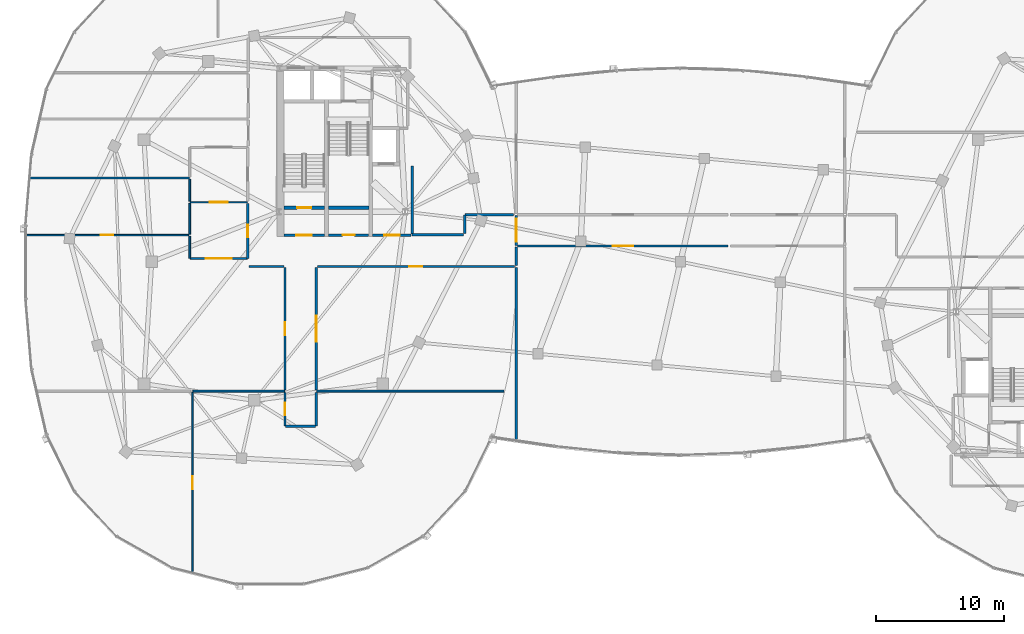
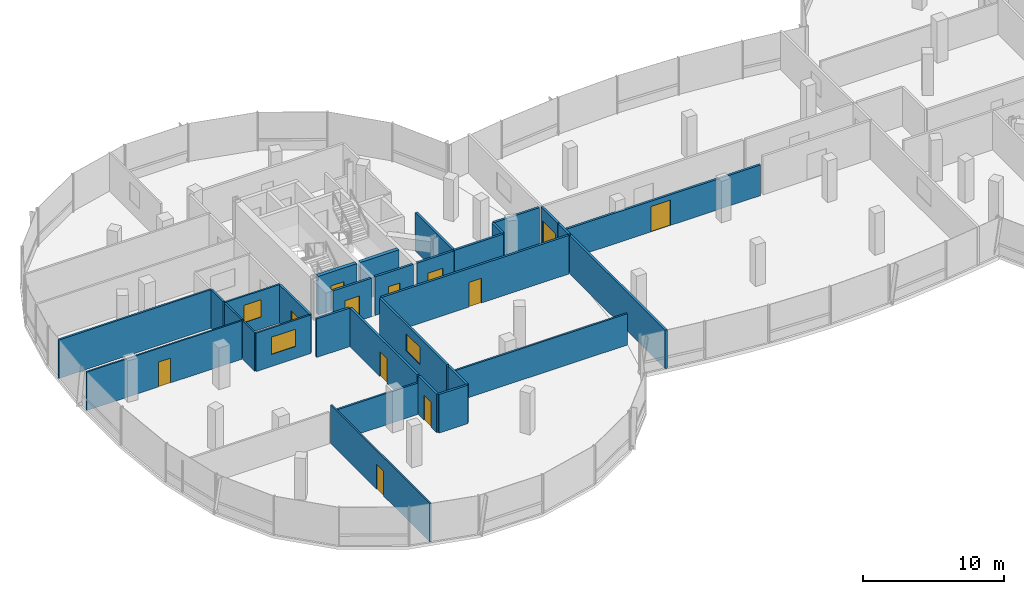
# One storey, part 14 of 25: 31 walls, 12 doors, 3 windows, 15 openings.
"""IFC4 building model written with IfcOpenShell, lengths in metres."""

import ifcopenshell
import ifcopenshell.guid

model = None  # the IFC model being written
_history = None  # IfcOwnerHistory: only IFC2X3 demands one
_inside = {}  # id of a spatial element -> (the spatial element, [elements in it])
_under = {}  # id of a project, library or spatial element -> (it, [spatial elements below it])
_declared = {}  # id of a project -> (the project, [libraries it declares])
_typed = {}  # id of a type object -> (the type object, [elements of that type])
_made_of = {}  # id of a material, layer set ... -> (it, [elements and type objects made of it])


def new_model(schema):
    """Start an empty IFC model of exactly this schema.

    Asked for "IFC4X3", IfcOpenShell would pick the latest addendum, in which some entities
    have other attributes; the version numbers below select the first issue.
    IFC2X3 requires an IfcOwnerHistory on every rooted entity: one is made here for all.
    """
    global model, _history
    if schema == "IFC4X3":
        model = ifcopenshell.file(schema_version=(4, 3, 0, 0))
    else:
        model = ifcopenshell.file(schema=schema)
    _inside.clear()
    _under.clear()
    _declared.clear()
    _typed.clear()
    _made_of.clear()
    _history = None
    if model.schema == "IFC2X3":
        org = make("IfcOrganization", Name="unknown")
        user = make(
            "IfcPersonAndOrganization",
            ThePerson=make("IfcPerson", FamilyName="unknown"),
            TheOrganization=org,
        )
        app = make(
            "IfcApplication",
            ApplicationDeveloper=org,
            Version="unknown",
            ApplicationFullName="unknown",
            ApplicationIdentifier="unknown",
        )
        _history = make(
            "IfcOwnerHistory",
            OwningUser=user,
            OwningApplication=app,
            ChangeAction="ADDED",
            CreationDate=0,
        )
    return model


def make(cls, **values):
    """One entity of the class cls with the attributes given. An attribute that is None is left unset."""
    return model.create_entity(
        cls, **{name: value for name, value in values.items() if value is not None}
    )


def rooted(cls, **values):
    """An entity with a GlobalId (a new one), such as an element, a storey or a relation."""
    return make(cls, GlobalId=ifcopenshell.guid.new(), OwnerHistory=_history, **values)


def si_unit(unit_type, name, prefix=None):
    """IfcSIUnit, for example si_unit("LENGTHUNIT", "METRE", prefix="MILLI")."""
    return make("IfcSIUnit", UnitType=unit_type, Prefix=prefix, Name=name)


def assignment(units):
    """IfcUnitAssignment: the units of a project."""
    return None if units is None else make("IfcUnitAssignment", Units=units)


def point(xyz):
    """IfcCartesianPoint."""
    return None if xyz is None else make("IfcCartesianPoint", Coordinates=xyz)


def direction(xyz):
    """IfcDirection."""
    return None if xyz is None else make("IfcDirection", DirectionRatios=xyz)


def frame(location, z_axis=None, x_axis=None):
    """IfcAxis2Placement3D, a coordinate frame: its origin and axes. An axis left out is left unset."""
    return make(
        "IfcAxis2Placement3D",
        Location=point(location),
        Axis=direction(z_axis),
        RefDirection=direction(x_axis),
    )


def frame_2d(location, x_axis=None):
    """IfcAxis2Placement2D, a coordinate frame in the plane: its origin and x axis."""
    return make(
        "IfcAxis2Placement2D", Location=point(location), RefDirection=direction(x_axis)
    )


def origin():
    """The frame at (0, 0, 0) with its axes left unset."""
    return frame((0.0, 0.0, 0.0))


def place(relative_to, where):
    """IfcLocalPlacement: puts the frame where relative to a parent placement (None: the world)."""
    return make(
        "IfcLocalPlacement", PlacementRelTo=relative_to, RelativePlacement=where
    )


def context(
    kind, dimensions, precision=None, world=None, true_north=None, identifier=None
):
    """IfcGeometricRepresentationContext, for example the 3D "Model" context."""
    return make(
        "IfcGeometricRepresentationContext",
        ContextIdentifier=identifier,
        ContextType=kind,
        CoordinateSpaceDimension=dimensions,
        Precision=precision,
        WorldCoordinateSystem=world,
        TrueNorth=true_north,
    )


def subcontext(parent, identifier, kind, view, scale=None):
    """IfcGeometricRepresentationSubContext, for example "Body" below "Model"."""
    return make(
        "IfcGeometricRepresentationSubContext",
        ContextIdentifier=identifier,
        ContextType=kind,
        ParentContext=parent,
        TargetScale=scale,
        TargetView=view,
    )


def project(units=None, contexts=None):
    """IfcProject with its units and contexts."""
    return rooted(
        "IfcProject",
        Name="project",
        RepresentationContexts=contexts,
        UnitsInContext=assignment(units),
    )


def spatial(cls, under=None, at=None, **own):
    """A site, building, storey or space (cls), placed at a placement, below another one or the project."""
    s = rooted(cls, ObjectPlacement=at, **own)
    if under is not None:
        _under.setdefault(under.id(), (under, []))[1].append(s)
    return s


def profile(cls, at=None, kind="AREA", **sizes):
    """A parametric profile (cls). Its sizes go by their IFC names, for example OverallWidth=200.0."""
    return make(cls, ProfileType=kind, Position=at, **sizes)


def rectangle(**sizes):
    """IfcRectangleProfileDef."""
    return profile("IfcRectangleProfileDef", **sizes)


def extrude(swept, where, along, depth):
    """IfcExtrudedAreaSolid: the profile swept, set in the frame where, extruded along a direction by depth."""
    return make(
        "IfcExtrudedAreaSolid",
        SweptArea=swept,
        Position=where,
        ExtrudedDirection=direction(along),
        Depth=depth,
    )


def shape(context_of_items, identifier, shape_type, items):
    """IfcShapeRepresentation: the items that make up one representation, for example the "Body"."""
    return make(
        "IfcShapeRepresentation",
        ContextOfItems=context_of_items,
        RepresentationIdentifier=identifier,
        RepresentationType=shape_type,
        Items=items,
    )


def material(Name=None, Category=None):
    """IfcMaterial."""
    return make("IfcMaterial", Name=Name, Category=Category)


def layer(
    of_material, thickness, ventilated=None, Name=None, Category=None, Priority=None
):
    """IfcMaterialLayer: one layer of a wall or slab, of a material (None: an air gap)."""
    return make(
        "IfcMaterialLayer",
        Material=of_material,
        LayerThickness=thickness,
        IsVentilated=ventilated,
        Name=Name,
        Category=Category,
        Priority=Priority,
    )


def layer_set(layers, Name=None):
    """IfcMaterialLayerSet."""
    return make("IfcMaterialLayerSet", MaterialLayers=layers, LayerSetName=Name)


def made_of(thing, what):
    """Note that an element or type object is made of a material, layer set ...; save() writes the relation."""
    if what is not None:
        _made_of.setdefault(what.id(), (what, []))[1].append(thing)
    return thing


def type_object(cls, material=None, **own):
    """A type object (cls), such as IfcWallType, which elements share."""
    return made_of(rooted(cls, **own), material)


def element(
    cls,
    number,
    at=None,
    inside=None,
    cuts=None,
    type_object=None,
    material=None,
    context=None,
    identifier="Body",
    shape_type=None,
    held_by="IfcProductDefinitionShape",
    body=None,
    shapes=None,
    **own,
):
    """One element of the class cls, such as IfcWall. Its Tag is "e" and its number.

    at: its placement. inside: the storey or other place that contains it. cuts: it is an
    opening in that element (IfcRelVoidsElement). A single representation is given by context,
    identifier, shape_type and body (its items); several are given by shapes. held_by: the class
    of the entity that holds the representations. save() writes the other relations.
    """
    e = rooted(cls, Tag="e%d" % number, ObjectPlacement=at, **own)
    if body is not None:
        shapes = [shape(context, identifier, shape_type, body)]
    if shapes is not None:
        e.Representation = make(held_by, Representations=shapes)
    if inside is not None:
        _inside.setdefault(inside.id(), (inside, []))[1].append(e)
    if cuts is not None:
        rooted(
            "IfcRelVoidsElement", RelatingBuildingElement=cuts, RelatedOpeningElement=e
        )
    if type_object is not None:
        _typed.setdefault(type_object.id(), (type_object, []))[1].append(e)
    return made_of(e, material)


def fill(opening, filler):
    """IfcRelFillsElement: the door or window that sits in an opening."""
    return rooted(
        "IfcRelFillsElement",
        RelatingOpeningElement=opening,
        RelatedBuildingElement=filler,
    )


def aggregate(whole, parts):
    """IfcRelAggregates: a whole, such as a stair, and the parts it consists of."""
    return rooted("IfcRelAggregates", RelatingObject=whole, RelatedObjects=parts)


def save(model, path):
    """Write the relations noted so far, then the file.

    IfcRelAggregates (storeys below a building ...), IfcRelContainedInSpatialStructure (elements
    in a storey), IfcRelDefinesByType, IfcRelAssociatesMaterial and IfcRelDeclares: one each for
    every whole, place, type object, material and project.
    """
    for whole, parts in _under.values():
        aggregate(whole, parts)
    for where, things in _inside.values():
        rooted(
            "IfcRelContainedInSpatialStructure",
            RelatedElements=things,
            RelatingStructure=where,
        )
    for kind, things in _typed.values():
        rooted("IfcRelDefinesByType", RelatedObjects=things, RelatingType=kind)
    for what, things in _made_of.values():
        rooted("IfcRelAssociatesMaterial", RelatedObjects=things, RelatingMaterial=what)
    for by, libraries in _declared.values():
        rooted("IfcRelDeclares", RelatingContext=by, RelatedDefinitions=libraries)
    model.write(path)


model = new_model("IFC4")

# Units and contexts
model_context = context("Model", 3, precision=1e-05, world=origin(), true_north=direction((0.0, 1.0)))
body_context = subcontext(model_context, "Body", "Model", "MODEL_VIEW")
ifc_project = project(units=[si_unit("LENGTHUNIT", "METRE"), si_unit("AREAUNIT", "SQUARE_METRE"), si_unit("VOLUMEUNIT", "CUBIC_METRE"), si_unit("PLANEANGLEUNIT", "RADIAN"), si_unit("MASSUNIT", "GRAM", prefix="KILO"), si_unit("THERMODYNAMICTEMPERATUREUNIT", "KELVIN"), si_unit("POWERUNIT", "WATT")], contexts=[model_context])

# Site, building, storey
site_placement = place(None, origin())
site = spatial("IfcSite", under=ifc_project, at=site_placement, CompositionType="ELEMENT")
building_placement = place(site_placement, origin())
building = spatial("IfcBuilding", under=site, at=building_placement, Name="Cundina Bronze Exchange", CompositionType="ELEMENT")
storey_placement = place(building_placement, frame((0.0, 0.0, 257.60009765625)))
storey = spatial("IfcBuildingStorey", under=building, at=storey_placement, Name="L68", CompositionType="ELEMENT", Elevation=257.60009765625)

# Wall
ifc_material_1 = material(Name="Gypsum Fireboard Partition EI120")
ifc_layer_1 = layer(ifc_material_1, 0.179931640625, Name="Gypsum Fireboard Partition EI120")
ifc_layer_set_1 = layer_set([ifc_layer_1], Name="Gypsum Fireboard Partition EI120")
wall_type_1 = type_object("IfcWallType", Name="WL-COR-180", PredefinedType="PARTITIONING", material=ifc_layer_set_1)
wall_1_placement = place(storey_placement, frame((-20.889892578125, 2.14990234375, 0.0), z_axis=(0.0, 0.0, 1.0), x_axis=(0.0, 1.0, 0.0)))
element("IfcWall", 1, at=wall_1_placement, inside=storey, type_object=wall_type_1, Name="L68 W Firefighting Lobby Side Wall", PredefinedType="PARTITIONING", context=body_context, shape_type="SweptSolid", body=[
    extrude(rectangle(XDim=5.300048828125, YDim=0.179931640625, at=frame_2d((2.64990234375, 0.0))), origin(), (0.0, 0.0, 1.0), 3.33984375),
])

# Wall, opening, door
wall_2_placement = place(storey_placement, frame((-23.97998046875, 2.06005859375, 0.0), z_axis=(0.0, 0.0, 1.0), x_axis=(1.0, 0.0, 0.0)))
wall_2 = element("IfcWall", 2, at=wall_2_placement, inside=storey, type_object=wall_type_1, Name="L68 W Firefighting Lobby Exit Wall", PredefinedType="PARTITIONING", context=body_context, shape_type="SweptSolid", body=[
    extrude(rectangle(XDim=3.0, YDim=0.179931640625, at=frame_2d((1.5, 0.0))), origin(), (0.0, 0.0, 1.0), 3.33984375),
])
opening_1_placement = place(wall_2_placement, frame((0.89990234375, 0.0, 0.0)))
opening_1 = element("IfcOpeningElement", 3, at=opening_1_placement, cuts=wall_2, Name="Opening DF-01", PredefinedType="OPENING", context=body_context, shape_type="SweptSolid", body=[
    extrude(rectangle(XDim=1.199951171875, YDim=2.14990234375, at=frame_2d((0.60009765625, 1.074951171875))), frame((0.0, 0.099853515625, 0.0), z_axis=(0.0, -1.0, 0.0), x_axis=(1.0, 0.0, 0.0)), (0.0, 0.0, 1.0), 0.199951171875),
])
ifc_material_2 = material(Name="Steel ASTM A36 Painted", Category="steel")
door_type_1 = type_object("IfcDoorType", Name="DR-FFL-1200", OperationType="NOTDEFINED", PredefinedType="DOOR", material=ifc_material_2)
door_1_placement = place(opening_1_placement, origin())
door_1 = element("IfcDoor", 4, at=door_1_placement, inside=storey, type_object=door_type_1, Name="L68 W Firefighting Lobby Door", OperationType="SINGLE_SWING_RIGHT", OverallHeight=2.14990234375, OverallWidth=1.199951171875, PredefinedType="DOOR", context=body_context, shape_type="SweptSolid", body=[
    extrude(rectangle(XDim=1.199951171875, YDim=2.14990234375, at=frame_2d((0.60009765625, 1.074951171875))), frame((0.0, 0.02490234375, 0.0), z_axis=(0.0, -1.0, 0.0), x_axis=(1.0, 0.0, 0.0)), (0.0, 0.0, 1.0), 0.050048828125),
])
fill(opening_1, door_1)

wall_3_placement = place(storey_placement, frame((-30.89990234375, 2.06005859375, 0.0), z_axis=(0.0, 0.0, 1.0), x_axis=(1.0, 0.0, 0.0)))
wall_3 = element("IfcWall", 5, at=wall_3_placement, inside=storey, type_object=wall_type_1, Name="L68 W Stair Vestibule Exit Wall", PredefinedType="PARTITIONING", context=body_context, shape_type="SweptSolid", body=[
    extrude(rectangle(XDim=3.159912109375, YDim=0.179931640625, at=frame_2d((1.580078125, 0.0))), origin(), (0.0, 0.0, 1.0), 3.33984375),
])
opening_2_placement = place(wall_3_placement, frame((0.97998046875, 0.0, 0.0)))
opening_2 = element("IfcOpeningElement", 6, at=opening_2_placement, cuts=wall_3, Name="Opening DF-01", PredefinedType="OPENING", context=body_context, shape_type="SweptSolid", body=[
    extrude(rectangle(XDim=1.199951171875, YDim=2.14990234375, at=frame_2d((0.60009765625, 1.074951171875))), frame((0.0, 0.099853515625, 0.0), z_axis=(0.0, -1.0, 0.0), x_axis=(1.0, 0.0, 0.0)), (0.0, 0.0, 1.0), 0.199951171875),
])
door_2_placement = place(opening_2_placement, origin())
door_2 = element("IfcDoor", 7, at=door_2_placement, inside=storey, type_object=door_type_1, Name="L68 W Stair Vestibule Door", OperationType="SINGLE_SWING_LEFT", OverallHeight=2.14990234375, OverallWidth=1.199951171875, PredefinedType="DOOR", context=body_context, shape_type="SweptSolid", body=[
    extrude(rectangle(XDim=1.199951171875, YDim=2.14990234375, at=frame_2d((0.60009765625, 1.074951171875))), frame((0.0, 0.02490234375, 0.0), z_axis=(0.0, -1.0, 0.0), x_axis=(1.0, 0.0, 0.0)), (0.0, 0.0, 1.0), 0.050048828125),
])
fill(opening_2, door_2)

wall_4_placement = place(storey_placement, frame((-27.419921875, 2.070068359375, 0.0), z_axis=(0.0, 0.0, 1.0), x_axis=(1.0, 0.0, 0.0)))
wall_4 = element("IfcWall", 8, at=wall_4_placement, inside=storey, type_object=wall_type_1, Name="L68 Interior Partition 004", PredefinedType="PARTITIONING", context=body_context, shape_type="SweptSolid", body=[
    extrude(rectangle(XDim=3.119873046875, YDim=0.179931640625, at=frame_2d((1.56005859375, 0.0))), origin(), (0.0, 0.0, 1.0), 3.33984375),
])
opening_3_placement = place(wall_4_placement, frame((1.0849609375, 0.0, 0.0)))
opening_3 = element("IfcOpeningElement", 9, at=opening_3_placement, cuts=wall_4, Name="Opening DW-01", PredefinedType="OPENING", context=body_context, shape_type="SweptSolid", body=[
    extrude(rectangle(XDim=0.949951171875, YDim=2.10009765625, at=frame_2d((0.47509765625, 1.050048828125))), frame((0.0, 0.099853515625, 0.0), z_axis=(0.0, -1.0, 0.0), x_axis=(1.0, 0.0, 0.0)), (0.0, 0.0, 1.0), 0.199951171875),
])
ifc_material_3 = material(Name="Solid Andean Oak Timber Grade A", Category="wood")
door_type_2 = type_object("IfcDoorType", Name="DR-WC-950", OperationType="NOTDEFINED", PredefinedType="DOOR", material=ifc_material_3)
door_3_placement = place(opening_3_placement, origin())
door_3 = element("IfcDoor", 10, at=door_3_placement, inside=storey, type_object=door_type_2, Name="L68 Interior Door 004", OperationType="SINGLE_SWING_RIGHT", OverallHeight=2.10009765625, OverallWidth=0.949951171875, PredefinedType="DOOR", context=body_context, shape_type="SweptSolid", body=[
    extrude(rectangle(XDim=0.949951171875, YDim=2.10009765625, at=frame_2d((0.47509765625, 1.050048828125))), frame((0.0, 0.02490234375, 0.0), z_axis=(0.0, -1.0, 0.0), x_axis=(1.0, 0.0, 0.0)), (0.0, 0.0, 1.0), 0.050048828125),
])
fill(opening_3, door_3)

wall_5_placement = place(storey_placement, frame((-33.719970703125, 0.27001953125, 0.0), z_axis=(0.0, 0.0, 1.0), x_axis=(0.0, 1.0, 0.0)))
wall_5 = element("IfcWall", 11, at=wall_5_placement, inside=storey, type_object=wall_type_1, Name="L68 Interior Partition 013", PredefinedType="PARTITIONING", context=body_context, shape_type="SweptSolid", body=[
    extrude(rectangle(XDim=4.260009765625, YDim=0.179931640625, at=frame_2d((2.1298828125, 0.0))), origin(), (0.0, 0.0, 1.0), 3.33984375),
])
opening_4_placement = place(wall_5_placement, frame((1.655029296875, 0.0, 0.0)))
opening_4 = element("IfcOpeningElement", 12, at=opening_4_placement, cuts=wall_5, Name="Opening DW-01", PredefinedType="OPENING", context=body_context, shape_type="SweptSolid", body=[
    extrude(rectangle(XDim=0.949951171875, YDim=2.10009765625, at=frame_2d((0.47509765625, 1.050048828125))), frame((0.0, 0.099853515625, 0.0), z_axis=(0.0, -1.0, 0.0), x_axis=(1.0, 0.0, 0.0)), (0.0, 0.0, 1.0), 0.199951171875),
])
door_4_placement = place(opening_4_placement, origin())
door_4 = element("IfcDoor", 13, at=door_4_placement, inside=storey, type_object=door_type_2, Name="L68 Interior Door 013", OperationType="SINGLE_SWING_LEFT", OverallHeight=2.10009765625, OverallWidth=0.949951171875, PredefinedType="DOOR", context=body_context, shape_type="SweptSolid", body=[
    extrude(rectangle(XDim=0.949951171875, YDim=2.10009765625, at=frame_2d((0.47509765625, 1.050048828125))), frame((0.0, 0.02490234375, 0.0), z_axis=(0.0, -1.0, 0.0), x_axis=(1.0, 0.0, 0.0)), (0.0, 0.0, 1.0), 0.050048828125),
])
fill(opening_4, door_4)

wall_6_placement = place(storey_placement, frame((-30.820068359375, -10.169921875, 0.0), z_axis=(0.0, 0.0, 1.0), x_axis=(0.0, -1.0, 0.0)))
wall_6 = element("IfcWall", 14, at=wall_6_placement, inside=storey, type_object=wall_type_1, Name="L68 Interior Partition 022", PredefinedType="PARTITIONING", context=body_context, shape_type="SweptSolid", body=[
    extrude(rectangle(XDim=2.608642578125, YDim=0.179931640625, at=frame_2d((1.30419921875, 0.0))), origin(), (0.0, 0.0, 1.0), 3.33984375),
])
opening_5_placement = place(wall_6_placement, frame((0.80419921875, 0.0, 0.0)))
opening_5 = element("IfcOpeningElement", 15, at=opening_5_placement, cuts=wall_6, Name="Opening DO-01", PredefinedType="OPENING", context=body_context, shape_type="SweptSolid", body=[
    extrude(rectangle(XDim=1.0, YDim=2.14990234375, at=frame_2d((0.5, 1.074951171875))), frame((0.0, 0.099853515625, 0.0), z_axis=(0.0, -1.0, 0.0), x_axis=(1.0, 0.0, 0.0)), (0.0, 0.0, 1.0), 0.199951171875),
])
door_type_3 = type_object("IfcDoorType", Name="DR-OFF-1000", OperationType="NOTDEFINED", PredefinedType="DOOR", material=ifc_material_3)
door_5_placement = place(opening_5_placement, origin())
door_5 = element("IfcDoor", 16, at=door_5_placement, inside=storey, type_object=door_type_3, Name="L68 Interior Door 022", OperationType="SINGLE_SWING_RIGHT", OverallHeight=2.14990234375, OverallWidth=1.0, PredefinedType="DOOR", context=body_context, shape_type="SweptSolid", body=[
    extrude(rectangle(XDim=1.0, YDim=2.14990234375, at=frame_2d((0.5, 1.074951171875))), frame((0.0, 0.02490234375, 0.0), z_axis=(0.0, -1.0, 0.0), x_axis=(1.0, 0.0, 0.0)), (0.0, 0.0, 1.0), 0.050048828125),
])
fill(opening_5, door_5)

# Walls
wall_7_placement = place(storey_placement, frame((-28.3798828125, -12.778564453125, 0.0), z_axis=(0.0, 0.0, 1.0), x_axis=(0.0, 1.0, 0.0)))
element("IfcWall", 17, at=wall_7_placement, inside=storey, type_object=wall_type_1, Name="L68 Interior Partition 023", PredefinedType="PARTITIONING", context=body_context, shape_type="SweptSolid", body=[
    extrude(rectangle(XDim=2.608642578125, YDim=0.179931640625, at=frame_2d((1.30419921875, 0.0))), origin(), (0.0, 0.0, 1.0), 3.33984375),
])
wall_8_placement = place(storey_placement, frame((-30.778564453125, -12.820068359375, 0.0), z_axis=(0.0, 0.0, 1.0), x_axis=(1.0, 0.0, 0.0)))
element("IfcWall", 18, at=wall_8_placement, inside=storey, type_object=wall_type_1, Name="L68 Interior Partition 024", PredefinedType="PARTITIONING", context=body_context, shape_type="SweptSolid", body=[
    extrude(rectangle(XDim=2.357177734375, YDim=0.179931640625, at=frame_2d((1.1787109375, 0.0))), origin(), (0.0, 0.0, 1.0), 3.33984375),
])

# Wall, opening, door
wall_9_placement = place(storey_placement, frame((-28.300048828125, -0.3701171875, 0.0), z_axis=(0.0, 0.0, 1.0), x_axis=(1.0, 0.0, 0.0)))
wall_9 = element("IfcWall", 19, at=wall_9_placement, inside=storey, type_object=wall_type_1, Name="L68 Interior Partition 025", PredefinedType="PARTITIONING", context=body_context, shape_type="SweptSolid", body=[
    extrude(rectangle(XDim=15.34912109375, YDim=0.179931640625, at=frame_2d((7.674560546875, 0.0))), origin(), (0.0, 0.0, 1.0), 3.33984375),
])
opening_6_placement = place(wall_9_placement, frame((7.174560546875, 0.0, 0.0)))
opening_6 = element("IfcOpeningElement", 20, at=opening_6_placement, cuts=wall_9, Name="Opening DO-01", PredefinedType="OPENING", context=body_context, shape_type="SweptSolid", body=[
    extrude(rectangle(XDim=1.0, YDim=2.14990234375, at=frame_2d((0.5, 1.074951171875))), frame((0.0, 0.099853515625, 0.0), z_axis=(0.0, -1.0, 0.0), x_axis=(1.0, 0.0, 0.0)), (0.0, 0.0, 1.0), 0.199951171875),
])
door_6_placement = place(opening_6_placement, origin())
door_6 = element("IfcDoor", 21, at=door_6_placement, inside=storey, type_object=door_type_3, Name="L68 Interior Door 025", OperationType="SINGLE_SWING_RIGHT", OverallHeight=2.14990234375, OverallWidth=1.0, PredefinedType="DOOR", context=body_context, shape_type="SweptSolid", body=[
    extrude(rectangle(XDim=1.0, YDim=2.14990234375, at=frame_2d((0.5, 1.074951171875))), frame((0.0, 0.02490234375, 0.0), z_axis=(0.0, -1.0, 0.0), x_axis=(1.0, 0.0, 0.0)), (0.0, 0.0, 1.0), 0.050048828125),
])
fill(opening_6, door_6)

# Wall, opening, window
wall_10_placement = place(storey_placement, frame((-28.3798828125, -9.989990234375, 0.0), z_axis=(0.0, 0.0, 1.0), x_axis=(0.0, 1.0, 0.0)))
wall_10 = element("IfcWall", 22, at=wall_10_placement, inside=storey, type_object=wall_type_1, Name="L68 Interior Partition 026", PredefinedType="PARTITIONING", context=body_context, shape_type="SweptSolid", body=[
    extrude(rectangle(XDim=9.5400390625, YDim=0.179931640625, at=frame_2d((4.77001953125, 0.0))), origin(), (0.0, 0.0, 1.0), 3.33984375),
])
opening_7_placement = place(wall_10_placement, frame((3.77001953125, 0.0, 1.050048828125)))
opening_7 = element("IfcOpeningElement", 23, at=opening_7_placement, cuts=wall_10, Name="Opening WI-01", PredefinedType="OPENING", context=body_context, shape_type="SweptSolid", body=[
    extrude(rectangle(XDim=2.0, YDim=1.5, at=frame_2d((1.0, 0.75))), frame((0.0, 0.099853515625, 0.0), z_axis=(0.0, -1.0, 0.0), x_axis=(1.0, 0.0, 0.0)), (0.0, 0.0, 1.0), 0.199951171875),
])
ifc_material_4 = material(Name="Clear Low-E Insulating Glass 26mm", Category="glass")
window_type_1 = type_object("IfcWindowType", Name="WN-INT-2000", PartitioningType="SINGLE_PANEL", PredefinedType="WINDOW", material=ifc_material_4)
window_1_placement = place(opening_7_placement, origin())
window_1 = element("IfcWindow", 24, at=window_1_placement, inside=storey, type_object=window_type_1, Name="L68 Interior Acoustic Vision Window 026", OverallHeight=1.5, OverallWidth=2.0, PartitioningType="SINGLE_PANEL", PredefinedType="WINDOW", context=body_context, shape_type="SweptSolid", body=[
    extrude(rectangle(XDim=2.0, YDim=1.5, at=frame_2d((1.0, 0.75))), frame((0.0, 0.030029296875, 0.0), z_axis=(0.0, -1.0, 0.0), x_axis=(1.0, 0.0, 0.0)), (0.0, 0.0, 1.0), 0.06005859375),
])
fill(opening_7, window_1)

# Wall, opening, door
wall_11_placement = place(storey_placement, frame((-30.820068359375, -0.449951171875, 0.0), z_axis=(0.0, 0.0, 1.0), x_axis=(0.0, -1.0, 0.0)))
wall_11 = element("IfcWall", 25, at=wall_11_placement, inside=storey, type_object=wall_type_1, Name="L68 Interior Partition 027", PredefinedType="PARTITIONING", context=body_context, shape_type="SweptSolid", body=[
    extrude(rectangle(XDim=9.5400390625, YDim=0.179931640625, at=frame_2d((4.77001953125, 0.0))), origin(), (0.0, 0.0, 1.0), 3.33984375),
])
opening_8_placement = place(wall_11_placement, frame((4.27001953125, 0.0, 0.0)))
opening_8 = element("IfcOpeningElement", 26, at=opening_8_placement, cuts=wall_11, Name="Opening DO-01", PredefinedType="OPENING", context=body_context, shape_type="SweptSolid", body=[
    extrude(rectangle(XDim=1.0, YDim=2.14990234375, at=frame_2d((0.5, 1.074951171875))), frame((0.0, 0.099853515625, 0.0), z_axis=(0.0, -1.0, 0.0), x_axis=(1.0, 0.0, 0.0)), (0.0, 0.0, 1.0), 0.199951171875),
])
door_7_placement = place(opening_8_placement, origin())
door_7 = element("IfcDoor", 27, at=door_7_placement, inside=storey, type_object=door_type_3, Name="L68 Interior Door 027", OperationType="SINGLE_SWING_LEFT", OverallHeight=2.14990234375, OverallWidth=1.0, PredefinedType="DOOR", context=body_context, shape_type="SweptSolid", body=[
    extrude(rectangle(XDim=1.0, YDim=2.14990234375, at=frame_2d((0.5, 1.074951171875))), frame((0.0, 0.02490234375, 0.0), z_axis=(0.0, -1.0, 0.0), x_axis=(1.0, 0.0, 0.0)), (0.0, 0.0, 1.0), 0.050048828125),
])
fill(opening_8, door_7)

# Walls
wall_12_placement = place(storey_placement, frame((-33.62841796875, -0.3701171875, 0.0), z_axis=(0.0, 0.0, 1.0), x_axis=(1.0, 0.0, 0.0)))
element("IfcWall", 28, at=wall_12_placement, inside=storey, type_object=wall_type_1, Name="L68 Interior Partition 028", PredefinedType="PARTITIONING", context=body_context, shape_type="SweptSolid", body=[
    extrude(rectangle(XDim=2.728515625, YDim=0.179931640625, at=frame_2d((1.3642578125, 0.0))), origin(), (0.0, 0.0, 1.0), 3.33984375),
])
wall_13_placement = place(storey_placement, frame((-16.89990234375, 2.10009765625, 0.0), z_axis=(0.0, 0.0, 1.0), x_axis=(-1.0, 0.0, 0.0)))
element("IfcWall", 29, at=wall_13_placement, inside=storey, type_object=wall_type_1, Name="L68 Interior Partition 032", PredefinedType="PARTITIONING", context=body_context, shape_type="SweptSolid", body=[
    extrude(rectangle(XDim=4.02001953125, YDim=0.179931640625, at=frame_2d((2.010009765625, 0.0))), origin(), (0.0, 0.0, 1.0), 3.33984375),
])
wall_14_placement = place(storey_placement, frame((-13.025634765625, 3.669921875, 0.0), z_axis=(0.0, 0.0, 1.0), x_axis=(-1.0, 0.0, 0.0)))
element("IfcWall", 30, at=wall_14_placement, inside=storey, type_object=wall_type_1, Name="L68 Interior Partition 033", PredefinedType="PARTITIONING", context=body_context, shape_type="SweptSolid", body=[
    extrude(rectangle(XDim=3.7529296875, YDim=0.179931640625, at=frame_2d((1.87646484375, 0.0))), origin(), (0.0, 0.0, 1.0), 3.33984375),
])
wall_15_placement = place(storey_placement, frame((-16.820068359375, 3.62841796875, 0.0), z_axis=(0.0, 0.0, 1.0), x_axis=(0.0, -1.0, 0.0)))
element("IfcWall", 31, at=wall_15_placement, inside=storey, type_object=wall_type_1, Name="L68 Interior Partition 036", PredefinedType="PARTITIONING", context=body_context, shape_type="SweptSolid", body=[
    extrude(rectangle(XDim=1.448486328125, YDim=0.179931640625, at=frame_2d((0.72412109375, 0.0))), origin(), (0.0, 0.0, 1.0), 3.33984375),
])

# Wall, opening, door
wall_16_placement = place(storey_placement, frame((-12.6884765625, 1.22998046875, 0.0), z_axis=(0.0, 0.0, 1.0), x_axis=(1.0, 0.0, 0.0)))
wall_16 = element("IfcWall", 32, at=wall_16_placement, inside=storey, type_object=wall_type_1, Name="L68 Interior Partition 070", PredefinedType="PARTITIONING", context=body_context, shape_type="SweptSolid", body=[
    extrude(rectangle(XDim=16.3935546875, YDim=0.179931640625, at=frame_2d((8.19677734375, 0.0))), origin(), (0.0, 0.0, 1.0), 2.662841796875),
])
opening_9_placement = place(wall_16_placement, frame((7.396728515625, 0.0, 0.0)))
opening_9 = element("IfcOpeningElement", 33, at=opening_9_placement, cuts=wall_16, Name="Opening DO-02", PredefinedType="OPENING", context=body_context, shape_type="SweptSolid", body=[
    extrude(rectangle(XDim=1.60009765625, YDim=2.199951171875, at=frame_2d((0.800048828125, 1.10009765625))), frame((0.0, 0.099853515625, 0.0), z_axis=(0.0, -1.0, 0.0), x_axis=(1.0, 0.0, 0.0)), (0.0, 0.0, 1.0), 0.199951171875),
])
door_type_4 = type_object("IfcDoorType", Name="DR-TRD-1600", OperationType="NOTDEFINED", PredefinedType="DOOR", material=ifc_material_3)
door_8_placement = place(opening_9_placement, origin())
door_8 = element("IfcDoor", 34, at=door_8_placement, inside=storey, type_object=door_type_4, Name="L68 Interior Door 070", OperationType="SINGLE_SWING_RIGHT", OverallHeight=2.199951171875, OverallWidth=1.60009765625, PredefinedType="DOOR", context=body_context, shape_type="SweptSolid", body=[
    extrude(rectangle(XDim=1.60009765625, YDim=2.199951171875, at=frame_2d((0.800048828125, 1.10009765625))), frame((0.0, 0.02490234375, 0.0), z_axis=(0.0, -1.0, 0.0), x_axis=(1.0, 0.0, 0.0)), (0.0, 0.0, 1.0), 0.050048828125),
])
fill(opening_9, door_8)

# Walls
wall_17_placement = place(storey_placement, frame((-12.800048828125, -14.043701171875, 0.0), z_axis=(0.0, 0.0, 1.0), x_axis=(0.0, 1.0, 0.0)))
element("IfcWall", 35, at=wall_17_placement, inside=storey, type_object=wall_type_1, Name="L68 Interior Partition 074", PredefinedType="PARTITIONING", context=body_context, shape_type="SweptSolid", body=[
    extrude(rectangle(XDim=13.588623046875, YDim=0.179931640625, at=frame_2d((6.79443359375, 0.0))), origin(), (0.0, 0.0, 1.0), 3.33984375),
])
wall_18_placement = place(storey_placement, frame((-12.800048828125, -0.284912109375, 0.0), z_axis=(0.0, 0.0, 1.0), x_axis=(0.0, 1.0, 0.0)))
element("IfcWall", 36, at=wall_18_placement, inside=storey, type_object=wall_type_1, Name="L68 Interior Partition 075", PredefinedType="PARTITIONING", context=body_context, shape_type="SweptSolid", body=[
    extrude(rectangle(XDim=1.44482421875, YDim=0.179931640625, at=frame_2d((0.722412109375, 0.0))), origin(), (0.0, 0.0, 1.0), 3.33984375),
])

# Wall, opening, door
wall_19_placement = place(storey_placement, frame((-12.800048828125, 1.280029296875, 0.0), z_axis=(0.0, 0.0, 1.0), x_axis=(0.0, 1.0, 0.0)))
wall_19 = element("IfcWall", 37, at=wall_19_placement, inside=storey, type_object=wall_type_1, Name="L68 Interior Partition 077", PredefinedType="PARTITIONING", context=body_context, shape_type="SweptSolid", body=[
    extrude(rectangle(XDim=2.340087890625, YDim=0.179931640625, at=frame_2d((1.169921875, 0.0))), origin(), (0.0, 0.0, 1.0), 3.33984375),
])
opening_10_placement = place(wall_19_placement, frame((0.27001953125, 0.0, 0.0)))
opening_10 = element("IfcOpeningElement", 38, at=opening_10_placement, cuts=wall_19, Name="Opening DB-01", PredefinedType="OPENING", context=body_context, shape_type="SweptSolid", body=[
    extrude(rectangle(XDim=1.800048828125, YDim=2.25, at=frame_2d((0.89990234375, 1.125))), frame((0.0, 0.099853515625, 0.0), z_axis=(0.0, -1.0, 0.0), x_axis=(1.0, 0.0, 0.0)), (0.0, 0.0, 1.0), 0.199951171875),
])
door_type_5 = type_object("IfcDoorType", Name="DR-BRG-1800", OperationType="NOTDEFINED", PredefinedType="DOOR", material=ifc_material_2)
door_9_placement = place(opening_10_placement, origin())
door_9 = element("IfcDoor", 39, at=door_9_placement, inside=storey, type_object=door_type_5, Name="L68 Interior Door 077", OperationType="DOUBLE_DOOR_SINGLE_SWING", OverallHeight=2.25, OverallWidth=1.800048828125, PredefinedType="DOOR", context=body_context, shape_type="SweptSolid", body=[
    extrude(rectangle(XDim=1.800048828125, YDim=2.25, at=frame_2d((0.89990234375, 1.125))), frame((0.0, 0.02490234375, 0.0), z_axis=(0.0, -1.0, 0.0), x_axis=(1.0, 0.0, 0.0)), (0.0, 0.0, 1.0), 0.050048828125),
])
fill(opening_10, door_9)

ifc_material_5 = material(Name="Gypsum Acoustic Partition EI60")
ifc_layer_2 = layer(ifc_material_5, 0.125, Name="Gypsum Acoustic Partition EI60")
ifc_layer_set_2 = layer_set([ifc_layer_2], Name="Gypsum Acoustic Partition EI60")
wall_type_2 = type_object("IfcWallType", Name="WL-OFF-125", PredefinedType="PARTITIONING", material=ifc_layer_set_2)
wall_20_placement = place(storey_placement, frame((-38.030029296875, -10.169921875, 0.0), z_axis=(0.0, 0.0, 1.0), x_axis=(0.0, -1.0, 0.0)))
wall_20 = element("IfcWall", 40, at=wall_20_placement, inside=storey, type_object=wall_type_2, Name="L68 Interior Partition 037", PredefinedType="PARTITIONING", context=body_context, shape_type="SweptSolid", body=[
    extrude(rectangle(XDim=14.0810546875, YDim=0.125, at=frame_2d((7.04052734375, 0.0))), origin(), (0.0, 0.0, 1.0), 3.33984375),
])
opening_11_placement = place(wall_20_placement, frame((6.54052734375, 0.0, 0.0)))
opening_11 = element("IfcOpeningElement", 41, at=opening_11_placement, cuts=wall_20, Name="Opening DO-01", PredefinedType="OPENING", context=body_context, shape_type="SweptSolid", body=[
    extrude(rectangle(XDim=1.0, YDim=2.14990234375, at=frame_2d((0.5, 1.074951171875))), frame((0.0, 0.072509765625, 0.0), z_axis=(0.0, -1.0, 0.0), x_axis=(1.0, 0.0, 0.0)), (0.0, 0.0, 1.0), 0.14501953125),
])
door_10_placement = place(opening_11_placement, origin())
door_10 = element("IfcDoor", 42, at=door_10_placement, inside=storey, type_object=door_type_3, Name="L68 Interior Door 037", OperationType="SINGLE_SWING_LEFT", OverallHeight=2.14990234375, OverallWidth=1.0, PredefinedType="DOOR", context=body_context, shape_type="SweptSolid", body=[
    extrude(rectangle(XDim=1.0, YDim=2.14990234375, at=frame_2d((0.5, 1.074951171875))), frame((0.0, 0.02490234375, 0.0), z_axis=(0.0, -1.0, 0.0), x_axis=(1.0, 0.0, 0.0)), (0.0, 0.0, 1.0), 0.050048828125),
])
fill(opening_11, door_10)

wall_21_placement = place(storey_placement, frame((-38.320068359375, 2.070068359375, 0.0), z_axis=(0.0, 0.0, 1.0), x_axis=(-1.0, 0.0, 0.0)))
wall_21 = element("IfcWall", 43, at=wall_21_placement, inside=storey, type_object=wall_type_2, Name="L68 Interior Partition 038", PredefinedType="PARTITIONING", context=body_context, shape_type="SweptSolid", body=[
    extrude(rectangle(XDim=12.72900390625, YDim=0.125, at=frame_2d((6.364501953125, 0.0))), origin(), (0.0, 0.0, 1.0), 3.33984375),
])
opening_12_placement = place(wall_21_placement, frame((5.864501953125, 0.0, 0.0)))
opening_12 = element("IfcOpeningElement", 44, at=opening_12_placement, cuts=wall_21, Name="Opening DO-01", PredefinedType="OPENING", context=body_context, shape_type="SweptSolid", body=[
    extrude(rectangle(XDim=1.0, YDim=2.14990234375, at=frame_2d((0.5, 1.074951171875))), frame((0.0, 0.072509765625, 0.0), z_axis=(0.0, -1.0, 0.0), x_axis=(1.0, 0.0, 0.0)), (0.0, 0.0, 1.0), 0.14501953125),
])
door_11_placement = place(opening_12_placement, origin())
door_11 = element("IfcDoor", 45, at=door_11_placement, inside=storey, type_object=door_type_3, Name="L68 Interior Door 038", OperationType="SINGLE_SWING_RIGHT", OverallHeight=2.14990234375, OverallWidth=1.0, PredefinedType="DOOR", context=body_context, shape_type="SweptSolid", body=[
    extrude(rectangle(XDim=1.0, YDim=2.14990234375, at=frame_2d((0.5, 1.074951171875))), frame((0.0, 0.02490234375, 0.0), z_axis=(0.0, -1.0, 0.0), x_axis=(1.0, 0.0, 0.0)), (0.0, 0.0, 1.0), 0.050048828125),
])
fill(opening_12, door_11)

ifc_material_6 = material(Name="Concrete C50/60", Category="concrete")
ifc_layer_3 = layer(ifc_material_6, 0.300048828125, Name="Concrete C50/60", Category="concrete")
ifc_layer_set_3 = layer_set([ifc_layer_3], Name="Concrete C50/60")
wall_type_3 = type_object("IfcWallType", Name="WL-SHFT-300", PredefinedType="SHEAR", material=ifc_layer_set_3)
wall_22_placement = place(storey_placement, frame((-30.89990234375, 4.199951171875, 0.0), z_axis=(0.0, 0.0, 1.0), x_axis=(1.0, 0.0, 0.0)))
wall_22 = element("IfcWall", 46, at=wall_22_placement, inside=storey, type_object=wall_type_3, Name="L68 Stair W1 Landing Wall", PredefinedType="SHEAR", context=body_context, shape_type="SweptSolid", body=[
    extrude(rectangle(XDim=3.159912109375, YDim=0.300048828125, at=frame_2d((1.580078125, 0.0))), origin(), (0.0, 0.0, 1.0), 3.33984375),
])
opening_13_placement = place(wall_22_placement, frame((1.030029296875, 0.0, 0.0)))
opening_13 = element("IfcOpeningElement", 47, at=opening_13_placement, cuts=wall_22, Name="Opening DS-01", PredefinedType="OPENING", context=body_context, shape_type="SweptSolid", body=[
    extrude(rectangle(XDim=1.10009765625, YDim=2.14990234375, at=frame_2d((0.550048828125, 1.074951171875))), frame((0.0, 0.159912109375, 0.0), z_axis=(0.0, -1.0, 0.0), x_axis=(1.0, 0.0, 0.0)), (0.0, 0.0, 1.0), 0.320068359375),
])
door_type_6 = type_object("IfcDoorType", Name="DR-STR-1100", OperationType="NOTDEFINED", PredefinedType="DOOR", material=ifc_material_2)
door_12_placement = place(opening_13_placement, origin())
door_12 = element("IfcDoor", 48, at=door_12_placement, inside=storey, type_object=door_type_6, Name="L68 Smokeproof Stair W1 Door", OperationType="SINGLE_SWING_RIGHT", OverallHeight=2.14990234375, OverallWidth=1.10009765625, PredefinedType="DOOR", context=body_context, shape_type="SweptSolid", body=[
    extrude(rectangle(XDim=1.10009765625, YDim=2.14990234375, at=frame_2d((0.550048828125, 1.074951171875))), frame((0.0, 0.02490234375, 0.0), z_axis=(0.0, -1.0, 0.0), x_axis=(1.0, 0.0, 0.0)), (0.0, 0.0, 1.0), 0.050048828125),
])
fill(opening_13, door_12)

# Walls
wall_23_placement = place(storey_placement, frame((-27.43994140625, 4.199951171875, 0.0), z_axis=(0.0, 0.0, 1.0), x_axis=(1.0, 0.0, 0.0)))
element("IfcWall", 49, at=wall_23_placement, inside=storey, type_object=wall_type_3, Name="L68 Stair W2 Far Shaft Wall", PredefinedType="SHEAR", context=body_context, shape_type="SweptSolid", body=[
    extrude(rectangle(XDim=3.159912109375, YDim=0.300048828125, at=frame_2d((1.580078125, 0.0))), origin(), (0.0, 0.0, 1.0), 3.33984375),
])
ifc_layer_4 = layer(ifc_material_5, 0.14990234375, Name="Gypsum Acoustic Partition EI60")
ifc_layer_set_4 = layer_set([ifc_layer_4], Name="Gypsum Acoustic Partition EI60")
wall_type_4 = type_object("IfcWallType", Name="WL-TEN-150", PredefinedType="PARTITIONING", material=ifc_layer_set_4)
wall_24_placement = place(storey_placement, frame((-37.9951171875, -10.080078125, 0.0), z_axis=(0.0, 0.0, 1.0), x_axis=(1.0, 0.0, 0.0)))
element("IfcWall", 50, at=wall_24_placement, inside=storey, type_object=wall_type_4, Name="L68 Interior Partition 016", PredefinedType="PARTITIONING", context=body_context, shape_type="SweptSolid", body=[
    extrude(rectangle(XDim=7.14501953125, YDim=0.14990234375, at=frame_2d((3.572509765625, 0.0))), origin(), (0.0, 0.0, 1.0), 2.723876953125),
])
wall_25_placement = place(storey_placement, frame((-28.35009765625, -10.080078125, 0.0), z_axis=(0.0, 0.0, 1.0), x_axis=(1.0, 0.0, 0.0)))
element("IfcWall", 51, at=wall_25_placement, inside=storey, type_object=wall_type_4, Name="L68 Interior Partition 017", PredefinedType="PARTITIONING", context=body_context, shape_type="SweptSolid", body=[
    extrude(rectangle(XDim=14.594970703125, YDim=0.14990234375, at=frame_2d((7.29736328125, 0.0))), origin(), (0.0, 0.0, 1.0), 2.723876953125),
])
wall_26_placement = place(storey_placement, frame((-50.7900390625, 6.52001953125, 0.0), z_axis=(0.0, 0.0, 1.0), x_axis=(1.0, 0.0, 0.0)))
element("IfcWall", 52, at=wall_26_placement, inside=storey, type_object=wall_type_4, Name="L68 Interior Partition 018", PredefinedType="PARTITIONING", context=body_context, shape_type="SweptSolid", body=[
    extrude(rectangle(XDim=12.52001953125, YDim=0.14990234375, at=frame_2d((6.260009765625, 0.0))), origin(), (0.0, 0.0, 1.0), 3.33984375),
])
ifc_material_7 = material(Name="Moisture-Resistant Masonry Block Grade M15", Category="masonry")
ifc_layer_5 = layer(ifc_material_7, 0.139892578125, Name="Moisture-Resistant Masonry Block Grade M15", Category="masonry")
ifc_layer_set_5 = layer_set([ifc_layer_5], Name="Moisture-Resistant Masonry Block Grade M15")
wall_type_5 = type_object("IfcWallType", Name="WL-WET-140", PredefinedType="PARTITIONING", material=ifc_layer_set_5)
wall_27_placement = place(storey_placement, frame((-38.239990234375, 0.27001953125, 0.0), z_axis=(0.0, 0.0, 1.0), x_axis=(0.0, 1.0, 0.0)))
element("IfcWall", 53, at=wall_27_placement, inside=storey, type_object=wall_type_5, Name="L68 Interior Partition 006", PredefinedType="PARTITIONING", context=body_context, shape_type="SweptSolid", body=[
    extrude(rectangle(XDim=1.715087890625, YDim=0.139892578125, at=frame_2d((0.857421875, 0.0))), origin(), (0.0, 0.0, 1.0), 3.33984375),
])
wall_28_placement = place(storey_placement, frame((-38.239990234375, 2.155029296875, 0.0), z_axis=(0.0, 0.0, 1.0), x_axis=(0.0, 1.0, 0.0)))
element("IfcWall", 54, at=wall_28_placement, inside=storey, type_object=wall_type_5, Name="L68 Interior Partition 007", PredefinedType="PARTITIONING", context=body_context, shape_type="SweptSolid", body=[
    extrude(rectangle(XDim=2.389892578125, YDim=0.139892578125, at=frame_2d((1.19482421875, 0.0))), origin(), (0.0, 0.0, 1.0), 3.33984375),
])
wall_29_placement = place(storey_placement, frame((-38.239990234375, 4.715087890625, 0.0), z_axis=(0.0, 0.0, 1.0), x_axis=(0.0, 1.0, 0.0)))
element("IfcWall", 55, at=wall_29_placement, inside=storey, type_object=wall_type_5, Name="L68 Interior Partition 008", PredefinedType="PARTITIONING", context=body_context, shape_type="SweptSolid", body=[
    extrude(rectangle(XDim=1.719970703125, YDim=0.139892578125, at=frame_2d((0.85986328125, 0.0))), origin(), (0.0, 0.0, 1.0), 3.33984375),
])

# Wall, opening, window
wall_30_placement = place(storey_placement, frame((-38.219970703125, 0.25, 0.0), z_axis=(0.0, 0.0, 1.0), x_axis=(1.0, 0.0, 0.0)))
wall_30 = element("IfcWall", 56, at=wall_30_placement, inside=storey, type_object=wall_type_5, Name="L68 Interior Partition 010", PredefinedType="PARTITIONING", context=body_context, shape_type="SweptSolid", body=[
    extrude(rectangle(XDim=4.47998046875, YDim=0.139892578125, at=frame_2d((2.239990234375, 0.0))), origin(), (0.0, 0.0, 1.0), 3.33984375),
])
opening_14_placement = place(wall_30_placement, frame((1.239990234375, 0.0, 1.050048828125)))
opening_14 = element("IfcOpeningElement", 57, at=opening_14_placement, cuts=wall_30, Name="Opening WI-01", PredefinedType="OPENING", context=body_context, shape_type="SweptSolid", body=[
    extrude(rectangle(XDim=2.0, YDim=1.5, at=frame_2d((1.0, 0.75))), frame((0.0, 0.079833984375, 0.0), z_axis=(0.0, -1.0, 0.0), x_axis=(1.0, 0.0, 0.0)), (0.0, 0.0, 1.0), 0.159912109375),
])
window_2_placement = place(opening_14_placement, origin())
window_2 = element("IfcWindow", 58, at=window_2_placement, inside=storey, type_object=window_type_1, Name="L68 Interior Acoustic Vision Window 010", OverallHeight=1.5, OverallWidth=2.0, PartitioningType="SINGLE_PANEL", PredefinedType="WINDOW", context=body_context, shape_type="SweptSolid", body=[
    extrude(rectangle(XDim=2.0, YDim=1.5, at=frame_2d((1.0, 0.75))), frame((0.0, 0.030029296875, 0.0), z_axis=(0.0, -1.0, 0.0), x_axis=(1.0, 0.0, 0.0)), (0.0, 0.0, 1.0), 0.06005859375),
])
fill(opening_14, window_2)

wall_31_placement = place(storey_placement, frame((-38.219970703125, 4.6298828125, 0.0), z_axis=(0.0, 0.0, 1.0), x_axis=(1.0, 0.0, 0.0)))
wall_31 = element("IfcWall", 59, at=wall_31_placement, inside=storey, type_object=wall_type_5, Name="L68 Interior Partition 011", PredefinedType="PARTITIONING", context=body_context, shape_type="SweptSolid", body=[
    extrude(rectangle(XDim=4.47998046875, YDim=0.139892578125, at=frame_2d((2.239990234375, 0.0))), origin(), (0.0, 0.0, 1.0), 3.33984375),
])
opening_15_placement = place(wall_31_placement, frame((1.5400390625, 0.0, 1.050048828125)))
opening_15 = element("IfcOpeningElement", 60, at=opening_15_placement, cuts=wall_31, Name="Opening WI-02", PredefinedType="OPENING", context=body_context, shape_type="SweptSolid", body=[
    extrude(rectangle(XDim=1.39990234375, YDim=1.5, at=frame_2d((0.699951171875, 0.75))), frame((0.0, 0.079833984375, 0.0), z_axis=(0.0, -1.0, 0.0), x_axis=(1.0, 0.0, 0.0)), (0.0, 0.0, 1.0), 0.159912109375),
])
window_type_2 = type_object("IfcWindowType", Name="WN-INT-1400", PartitioningType="SINGLE_PANEL", PredefinedType="WINDOW", material=ifc_material_4)
window_3_placement = place(opening_15_placement, origin())
window_3 = element("IfcWindow", 61, at=window_3_placement, inside=storey, type_object=window_type_2, Name="L68 Interior Acoustic Vision Window 011", OverallHeight=1.5, OverallWidth=1.39990234375, PartitioningType="SINGLE_PANEL", PredefinedType="WINDOW", context=body_context, shape_type="SweptSolid", body=[
    extrude(rectangle(XDim=1.39990234375, YDim=1.5, at=frame_2d((0.699951171875, 0.75))), frame((0.0, 0.030029296875, 0.0), z_axis=(0.0, -1.0, 0.0), x_axis=(1.0, 0.0, 0.0)), (0.0, 0.0, 1.0), 0.06005859375),
])
fill(opening_15, window_3)

save(model, "model.ifc")
